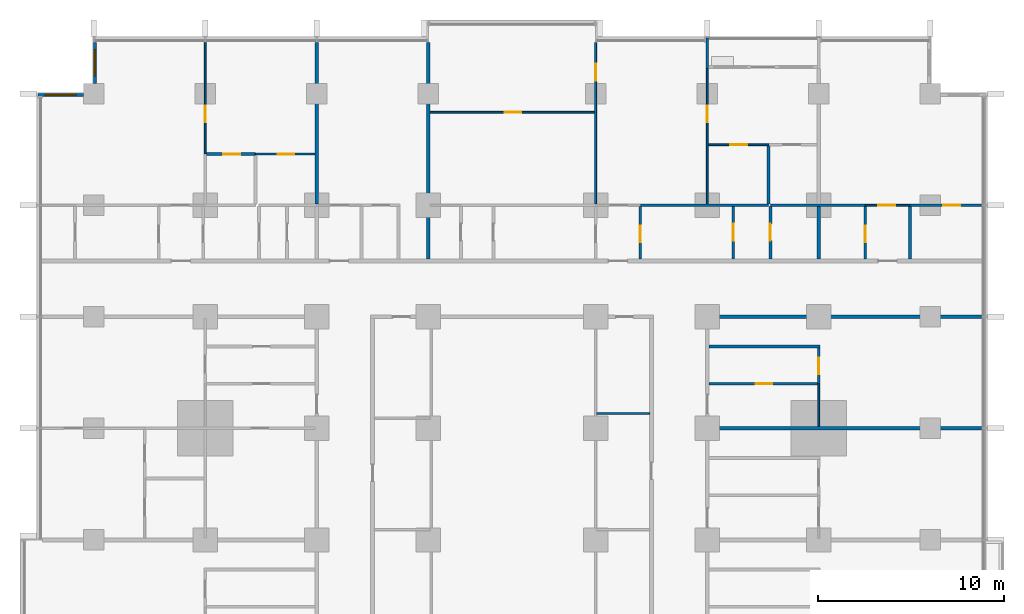
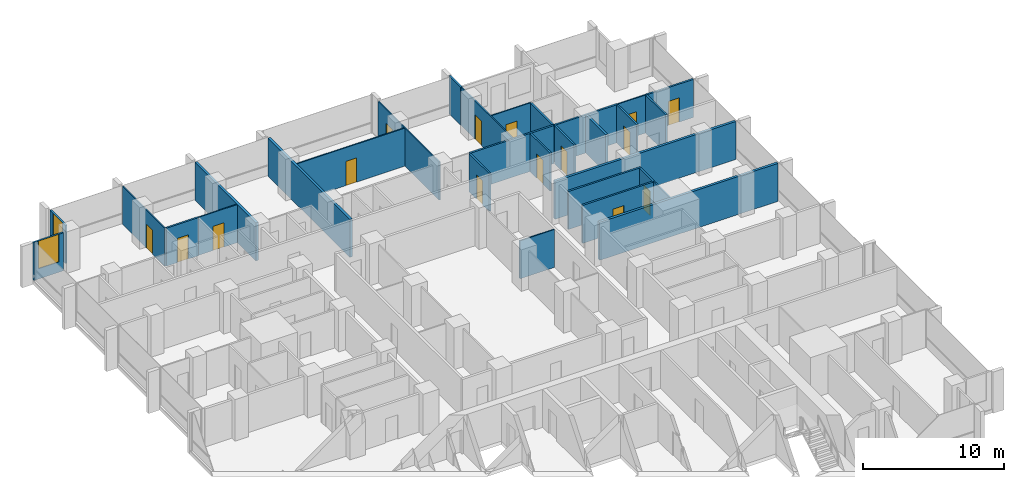
# One storey, part 12 of 18: 30 walls, 15 doors, 2 windows, 17 openings.
"""IFC4 building model written with IfcOpenShell, lengths in metres."""

from ifc_helpers import new_model, si_unit, direction, frame, frame_2d, origin, place, context, subcontext, project, spatial, rectangle, extrude, material, layer, layer_set, type_object, element, fill, save


model = new_model("IFC4")

# Units and contexts
model_context = context("Model", 3, precision=1e-05, world=origin(), true_north=direction((0.0, 1.0)))
body_context = subcontext(model_context, "Body", "Model", "MODEL_VIEW")
ifc_project = project(units=[si_unit("LENGTHUNIT", "METRE"), si_unit("AREAUNIT", "SQUARE_METRE"), si_unit("VOLUMEUNIT", "CUBIC_METRE"), si_unit("PLANEANGLEUNIT", "RADIAN"), si_unit("MASSUNIT", "GRAM", prefix="KILO")], contexts=[model_context])

# Site, building, storey
site_placement = place(None, origin())
site = spatial("IfcSite", under=ifc_project, at=site_placement, CompositionType="ELEMENT")
building_placement = place(site_placement, origin())
building = spatial("IfcBuilding", under=site, at=building_placement, Name="Finial Court Residences", CompositionType="ELEMENT")
storey_placement = place(building_placement, frame((0.0, 0.0, 46.89990234375)))
storey = spatial("IfcBuildingStorey", under=building, at=storey_placement, Name="L10", CompositionType="ELEMENT", Elevation=46.89990234375)

# Walls
ifc_material_1 = material(Name="Gypsum board")
ifc_layer_1 = layer(ifc_material_1, 0.02490234375)
ifc_material_2 = material(Name="Acoustic mineral wool in double frame")
ifc_layer_2 = layer(ifc_material_2, 0.14990234375)
ifc_layer_3 = layer(ifc_material_1, 0.02490234375)
ifc_layer_set_1 = layer_set([ifc_layer_1, ifc_layer_2, ifc_layer_3], Name="Acoustic party wall 200, 1 hour")
wall_type_1 = type_object("IfcWallType", Name="Acoustic party wall 200, 1 hour", PredefinedType="PARTITIONING", material=ifc_layer_set_1)
wall_1_placement = place(storey_placement, frame((10.60009765625, 7.5, 0.0), z_axis=(0.0, 0.0, 1.0), x_axis=(1.0, 0.0, 0.0)))
element("IfcWall", 1, at=wall_1_placement, inside=storey, type_object=wall_type_1, Name="Partition L10-024", PredefinedType="PARTITIONING", context=body_context, shape_type="SweptSolid", body=[
    extrude(rectangle(XDim=14.64990234375, YDim=0.199951171875, at=frame_2d((7.324951171875, 0.0))), origin(), (0.0, 0.0, 1.0), 3.300048828125),
])
wall_2_placement = place(storey_placement, frame((-10.5, 19.574951171875, 0.0), z_axis=(0.0, 0.0, 1.0), x_axis=(0.0, 1.0, 0.0)))
element("IfcWall", 2, at=wall_2_placement, inside=storey, type_object=wall_type_1, Name="Partition L10-078", PredefinedType="PARTITIONING", context=body_context, shape_type="SweptSolid", body=[
    extrude(rectangle(XDim=8.675048828125, YDim=0.199951171875, at=frame_2d((4.33740234375, 0.0))), origin(), (0.0, 0.0, 1.0), 3.300048828125),
])
wall_3_placement = place(storey_placement, frame((-4.5, 16.60009765625, 0.0), z_axis=(0.0, 0.0, 1.0), x_axis=(0.0, 1.0, 0.0)))
element("IfcWall", 3, at=wall_3_placement, inside=storey, type_object=wall_type_1, Name="Partition L10-082", PredefinedType="PARTITIONING", context=body_context, shape_type="SweptSolid", body=[
    extrude(rectangle(XDim=11.64990234375, YDim=0.199951171875, at=frame_2d((5.824951171875, 0.0))), origin(), (0.0, 0.0, 1.0), 3.300048828125),
])
wall_4_placement = place(storey_placement, frame((16.5, 16.60009765625, 0.0), z_axis=(0.0, 0.0, 1.0), x_axis=(0.0, 1.0, 0.0)))
element("IfcWall", 4, at=wall_4_placement, inside=storey, type_object=wall_type_1, Name="Partition L10-100", PredefinedType="PARTITIONING", context=body_context, shape_type="SweptSolid", body=[
    extrude(rectangle(XDim=2.824951171875, YDim=0.199951171875, at=frame_2d((1.41259765625, 0.0))), origin(), (0.0, 0.0, 1.0), 3.300048828125),
])
ifc_layer_4 = layer(ifc_material_1, 0.02490234375)
ifc_layer_5 = layer(ifc_material_2, 0.14990234375)
ifc_layer_6 = layer(ifc_material_1, 0.02490234375)
ifc_layer_set_2 = layer_set([ifc_layer_4, ifc_layer_5, ifc_layer_6], Name="Corridor wall 200, 1 hour")
wall_type_2 = type_object("IfcWallType", Name="Corridor wall 200, 1 hour", PredefinedType="PARTITIONING", material=ifc_layer_set_2)
wall_5_placement = place(storey_placement, frame((10.39990234375, 13.5, 0.0), z_axis=(0.0, 0.0, 1.0), x_axis=(1.0, 0.0, 0.0)))
element("IfcWall", 5, at=wall_5_placement, inside=storey, type_object=wall_type_2, Name="Partition L10-034", PredefinedType="PARTITIONING", context=body_context, shape_type="SweptSolid", body=[
    extrude(rectangle(XDim=14.85009765625, YDim=0.199951171875, at=frame_2d((7.425048828125, 0.0))), origin(), (0.0, 0.0, 1.0), 3.300048828125),
])
ifc_layer_7 = layer(ifc_material_1, 0.012451171875)
ifc_material_3 = material(Name="Mineral wool in light-gauge frame")
ifc_layer_8 = layer(ifc_material_3, 0.074951171875)
ifc_layer_9 = layer(ifc_material_1, 0.012451171875)
ifc_layer_set_3 = layer_set([ifc_layer_7, ifc_layer_8, ifc_layer_9], Name="Gypsum board partition 100")
wall_type_3 = type_object("IfcWallType", Name="Gypsum board partition 100", PredefinedType="PARTITIONING", material=ifc_layer_set_3)
wall_6_placement = place(storey_placement, frame((4.550048828125, 8.300048828125, 0.0), z_axis=(0.0, 0.0, 1.0), x_axis=(1.0, 0.0, 0.0)))
element("IfcWall", 6, at=wall_6_placement, inside=storey, type_object=wall_type_3, Name="Partition L10-027", PredefinedType="PARTITIONING", context=body_context, shape_type="SweptSolid", body=[
    extrude(rectangle(XDim=2.849853515625, YDim=0.10009765625, at=frame_2d((1.4248046875, 0.0))), origin(), (0.0, 0.0, 1.0), 3.300048828125),
])

# Wall, opening, door
wall_7_placement = place(storey_placement, frame((19.0, 19.5, 0.0), z_axis=(0.0, 0.0, 1.0), x_axis=(1.0, 0.0, 0.0)))
wall_7 = element("IfcWall", 7, at=wall_7_placement, inside=storey, type_object=wall_type_3, Name="Partition L10-041", PredefinedType="PARTITIONING", context=body_context, shape_type="SweptSolid", body=[
    extrude(rectangle(XDim=2.39990234375, YDim=0.10009765625, at=frame_2d((1.199951171875, 0.0))), origin(), (0.0, 0.0, 1.0), 3.300048828125),
])
opening_1_placement = place(wall_7_placement, frame((0.699951171875, 0.0, 0.0)))
opening_1 = element("IfcOpeningElement", 8, at=opening_1_placement, cuts=wall_7, Name="Opening L10-D026", PredefinedType="OPENING", context=body_context, shape_type="SweptSolid", body=[
    extrude(rectangle(XDim=0.89990234375, YDim=2.10009765625, at=frame_2d((0.449951171875, 1.050048828125))), frame((0.0, 0.06005859375, 0.0), z_axis=(0.0, -1.0, 0.0), x_axis=(1.0, 0.0, 0.0)), (0.0, 0.0, 1.0), 0.1201171875),
])
ifc_material_4 = material(Name="Timber door leaf in timber frame", Category="wood")
door_type = type_object("IfcDoorType", Name="Door set 900 x 2100", OperationType="SINGLE_SWING_LEFT", PredefinedType="DOOR", material=ifc_material_4)
door_1_placement = place(opening_1_placement, origin())
door_1 = element("IfcDoor", 9, at=door_1_placement, inside=storey, type_object=door_type, Name="Door L10-D026", OperationType="SINGLE_SWING_RIGHT", OverallHeight=2.10009765625, OverallWidth=0.89990234375, PredefinedType="DOOR", context=body_context, shape_type="SweptSolid", body=[
    extrude(rectangle(XDim=0.89990234375, YDim=2.10009765625, at=frame_2d((0.449951171875, 1.050048828125))), frame((0.0, 0.02490234375, 0.0), z_axis=(0.0, -1.0, 0.0), x_axis=(1.0, 0.0, 0.0)), (0.0, 0.0, 1.0), 0.050048828125),
])
fill(opening_1, door_1)

wall_8_placement = place(storey_placement, frame((-13.800048828125, 22.25, 0.0), z_axis=(0.0, 0.0, 1.0), x_axis=(1.0, 0.0, 0.0)))
wall_8 = element("IfcWall", 10, at=wall_8_placement, inside=storey, type_object=wall_type_3, Name="Partition L10-050", PredefinedType="PARTITIONING", context=body_context, shape_type="SweptSolid", body=[
    extrude(rectangle(XDim=3.199951171875, YDim=0.10009765625, at=frame_2d((1.60009765625, 0.0))), origin(), (0.0, 0.0, 1.0), 3.300048828125),
])
opening_2_placement = place(wall_8_placement, frame((1.199951171875, 0.0, 0.0)))
opening_2 = element("IfcOpeningElement", 11, at=opening_2_placement, cuts=wall_8, Name="Opening L10-D029", PredefinedType="OPENING", context=body_context, shape_type="SweptSolid", body=[
    extrude(rectangle(XDim=0.89990234375, YDim=2.10009765625, at=frame_2d((0.449951171875, 1.050048828125))), frame((0.0, 0.06005859375, 0.0), z_axis=(0.0, -1.0, 0.0), x_axis=(1.0, 0.0, 0.0)), (0.0, 0.0, 1.0), 0.1201171875),
])
door_2_placement = place(opening_2_placement, origin())
door_2 = element("IfcDoor", 12, at=door_2_placement, inside=storey, type_object=door_type, Name="Door L10-D029", OperationType="SINGLE_SWING_LEFT", OverallHeight=2.10009765625, OverallWidth=0.89990234375, PredefinedType="DOOR", context=body_context, shape_type="SweptSolid", body=[
    extrude(rectangle(XDim=0.89990234375, YDim=2.10009765625, at=frame_2d((0.449951171875, 1.050048828125))), frame((0.0, 0.02490234375, 0.0), z_axis=(0.0, -1.0, 0.0), x_axis=(1.0, 0.0, 0.0)), (0.0, 0.0, 1.0), 0.050048828125),
])
fill(opening_2, door_2)

wall_9_placement = place(storey_placement, frame((10.550048828125, 22.75, 0.0), z_axis=(0.0, 0.0, 1.0), x_axis=(1.0, 0.0, 0.0)))
wall_9 = element("IfcWall", 13, at=wall_9_placement, inside=storey, type_object=wall_type_3, Name="Partition L10-052", PredefinedType="PARTITIONING", context=body_context, shape_type="SweptSolid", body=[
    extrude(rectangle(XDim=3.25, YDim=0.10009765625, at=frame_2d((1.625, 0.0))), origin(), (0.0, 0.0, 1.0), 3.300048828125),
])
opening_3_placement = place(wall_9_placement, frame((1.199951171875, 0.0, 0.0)))
opening_3 = element("IfcOpeningElement", 14, at=opening_3_placement, cuts=wall_9, Name="Opening L10-D031", PredefinedType="OPENING", context=body_context, shape_type="SweptSolid", body=[
    extrude(rectangle(XDim=0.89990234375, YDim=2.10009765625, at=frame_2d((0.449951171875, 1.050048828125))), frame((0.0, 0.06005859375, 0.0), z_axis=(0.0, -1.0, 0.0), x_axis=(1.0, 0.0, 0.0)), (0.0, 0.0, 1.0), 0.1201171875),
])
door_3_placement = place(opening_3_placement, origin())
door_3 = element("IfcDoor", 15, at=door_3_placement, inside=storey, type_object=door_type, Name="Door L10-D031", OperationType="SINGLE_SWING_LEFT", OverallHeight=2.10009765625, OverallWidth=0.89990234375, PredefinedType="DOOR", context=body_context, shape_type="SweptSolid", body=[
    extrude(rectangle(XDim=0.89990234375, YDim=2.10009765625, at=frame_2d((0.449951171875, 1.050048828125))), frame((0.0, 0.02490234375, 0.0), z_axis=(0.0, -1.0, 0.0), x_axis=(1.0, 0.0, 0.0)), (0.0, 0.0, 1.0), 0.050048828125),
])
fill(opening_3, door_3)

wall_10_placement = place(storey_placement, frame((-4.39990234375, 24.5, 0.0), z_axis=(0.0, 0.0, 1.0), x_axis=(1.0, 0.0, 0.0)))
wall_10 = element("IfcWall", 16, at=wall_10_placement, inside=storey, type_object=wall_type_3, Name="Partition L10-054", PredefinedType="PARTITIONING", context=body_context, shape_type="SweptSolid", body=[
    extrude(rectangle(XDim=8.849853515625, YDim=0.10009765625, at=frame_2d((4.4248046875, 0.0))), origin(), (0.0, 0.0, 1.0), 3.300048828125),
])
opening_4_placement = place(wall_10_placement, frame((4.0, 0.0, 0.0)))
opening_4 = element("IfcOpeningElement", 17, at=opening_4_placement, cuts=wall_10, Name="Opening L10-D033", PredefinedType="OPENING", context=body_context, shape_type="SweptSolid", body=[
    extrude(rectangle(XDim=0.89990234375, YDim=2.10009765625, at=frame_2d((0.449951171875, 1.050048828125))), frame((0.0, 0.06005859375, 0.0), z_axis=(0.0, -1.0, 0.0), x_axis=(1.0, 0.0, 0.0)), (0.0, 0.0, 1.0), 0.1201171875),
])
door_4_placement = place(opening_4_placement, origin())
door_4 = element("IfcDoor", 18, at=door_4_placement, inside=storey, type_object=door_type, Name="Door L10-D033", OperationType="SINGLE_SWING_LEFT", OverallHeight=2.10009765625, OverallWidth=0.89990234375, PredefinedType="DOOR", context=body_context, shape_type="SweptSolid", body=[
    extrude(rectangle(XDim=0.89990234375, YDim=2.10009765625, at=frame_2d((0.449951171875, 1.050048828125))), frame((0.0, 0.02490234375, 0.0), z_axis=(0.0, -1.0, 0.0), x_axis=(1.0, 0.0, 0.0)), (0.0, 0.0, 1.0), 0.050048828125),
])
fill(opening_4, door_4)

wall_11_placement = place(storey_placement, frame((-16.5, 22.25, 0.0), z_axis=(0.0, 0.0, 1.0), x_axis=(0.0, 1.0, 0.0)))
wall_11 = element("IfcWall", 19, at=wall_11_placement, inside=storey, type_object=wall_type_3, Name="Partition L10-066", PredefinedType="PARTITIONING", context=body_context, shape_type="SweptSolid", body=[
    extrude(rectangle(XDim=6.0, YDim=0.10009765625, at=frame_2d((3.0, 0.0))), origin(), (0.0, 0.0, 1.0), 3.300048828125),
])
opening_5_placement = place(wall_11_placement, frame((1.699951171875, 0.0, 0.0)))
opening_5 = element("IfcOpeningElement", 20, at=opening_5_placement, cuts=wall_11, Name="Opening L10-D043", PredefinedType="OPENING", context=body_context, shape_type="SweptSolid", body=[
    extrude(rectangle(XDim=0.89990234375, YDim=2.10009765625, at=frame_2d((0.449951171875, 1.050048828125))), frame((0.0, 0.06005859375, 0.0), z_axis=(0.0, -1.0, 0.0), x_axis=(1.0, 0.0, 0.0)), (0.0, 0.0, 1.0), 0.1201171875),
])
door_5_placement = place(opening_5_placement, origin())
door_5 = element("IfcDoor", 21, at=door_5_placement, inside=storey, type_object=door_type, Name="Door L10-D043", OperationType="SINGLE_SWING_LEFT", OverallHeight=2.10009765625, OverallWidth=0.89990234375, PredefinedType="DOOR", context=body_context, shape_type="SweptSolid", body=[
    extrude(rectangle(XDim=0.89990234375, YDim=2.10009765625, at=frame_2d((0.449951171875, 1.050048828125))), frame((0.0, 0.02490234375, 0.0), z_axis=(0.0, -1.0, 0.0), x_axis=(1.0, 0.0, 0.0)), (0.0, 0.0, 1.0), 0.050048828125),
])
fill(opening_5, door_5)

wall_12_placement = place(storey_placement, frame((4.5, 19.574951171875, 0.0), z_axis=(0.0, 0.0, 1.0), x_axis=(0.0, 1.0, 0.0)))
wall_12 = element("IfcWall", 22, at=wall_12_placement, inside=storey, type_object=wall_type_3, Name="Partition L10-087", PredefinedType="PARTITIONING", context=body_context, shape_type="SweptSolid", body=[
    extrude(rectangle(XDim=8.675048828125, YDim=0.10009765625, at=frame_2d((4.33740234375, 0.0))), origin(), (0.0, 0.0, 1.0), 3.300048828125),
])
opening_6_placement = place(wall_12_placement, frame((6.625, 0.0, 0.0)))
opening_6 = element("IfcOpeningElement", 23, at=opening_6_placement, cuts=wall_12, Name="Opening L10-D053", PredefinedType="OPENING", context=body_context, shape_type="SweptSolid", body=[
    extrude(rectangle(XDim=0.89990234375, YDim=2.10009765625, at=frame_2d((0.449951171875, 1.050048828125))), frame((0.0, 0.06005859375, 0.0), z_axis=(0.0, -1.0, 0.0), x_axis=(1.0, 0.0, 0.0)), (0.0, 0.0, 1.0), 0.1201171875),
])
door_6_placement = place(opening_6_placement, origin())
door_6 = element("IfcDoor", 24, at=door_6_placement, inside=storey, type_object=door_type, Name="Door L10-D053", OperationType="SINGLE_SWING_LEFT", OverallHeight=2.10009765625, OverallWidth=0.89990234375, PredefinedType="DOOR", context=body_context, shape_type="SweptSolid", body=[
    extrude(rectangle(XDim=0.89990234375, YDim=2.10009765625, at=frame_2d((0.449951171875, 1.050048828125))), frame((0.0, 0.02490234375, 0.0), z_axis=(0.0, -1.0, 0.0), x_axis=(1.0, 0.0, 0.0)), (0.0, 0.0, 1.0), 0.050048828125),
])
fill(opening_6, door_6)

wall_13_placement = place(storey_placement, frame((10.5, 19.574951171875, 0.0), z_axis=(0.0, 0.0, 1.0), x_axis=(0.0, 1.0, 0.0)))
wall_13 = element("IfcWall", 25, at=wall_13_placement, inside=storey, type_object=wall_type_3, Name="Partition L10-092", PredefinedType="PARTITIONING", context=body_context, shape_type="SweptSolid", body=[
    extrude(rectangle(XDim=7.275146484375, YDim=0.10009765625, at=frame_2d((3.6376953125, 0.0))), origin(), (0.0, 0.0, 1.0), 3.300048828125),
])
opening_7_placement = place(wall_13_placement, frame((4.375, 0.0, 0.0)))
opening_7 = element("IfcOpeningElement", 26, at=opening_7_placement, cuts=wall_13, Name="Opening L10-D059", PredefinedType="OPENING", context=body_context, shape_type="SweptSolid", body=[
    extrude(rectangle(XDim=0.89990234375, YDim=2.10009765625, at=frame_2d((0.449951171875, 1.050048828125))), frame((0.0, 0.06005859375, 0.0), z_axis=(0.0, -1.0, 0.0), x_axis=(1.0, 0.0, 0.0)), (0.0, 0.0, 1.0), 0.1201171875),
])
door_7_placement = place(opening_7_placement, origin())
door_7 = element("IfcDoor", 27, at=door_7_placement, inside=storey, type_object=door_type, Name="Door L10-D059", OperationType="SINGLE_SWING_RIGHT", OverallHeight=2.10009765625, OverallWidth=0.89990234375, PredefinedType="DOOR", context=body_context, shape_type="SweptSolid", body=[
    extrude(rectangle(XDim=0.89990234375, YDim=2.10009765625, at=frame_2d((0.449951171875, 1.050048828125))), frame((0.0, 0.02490234375, 0.0), z_axis=(0.0, -1.0, 0.0), x_axis=(1.0, 0.0, 0.0)), (0.0, 0.0, 1.0), 0.050048828125),
])
fill(opening_7, door_7)

# Wall
wall_14_placement = place(storey_placement, frame((16.5, 7.60009765625, 0.0), z_axis=(0.0, 0.0, 1.0), x_axis=(0.0, 1.0, 0.0)))
element("IfcWall", 28, at=wall_14_placement, inside=storey, type_object=wall_type_3, Name="Partition L10-099", PredefinedType="PARTITIONING", context=body_context, shape_type="SweptSolid", body=[
    extrude(rectangle(XDim=2.2998046875, YDim=0.10009765625, at=frame_2d((1.14990234375, 0.0))), origin(), (0.0, 0.0, 1.0), 3.300048828125),
])

# Wall, opening, door
ifc_material_5 = material(Name="Moisture-resistant gypsum board")
ifc_layer_10 = layer(ifc_material_5, 0.012451171875)
ifc_layer_11 = layer(ifc_material_3, 0.125)
ifc_layer_12 = layer(ifc_material_5, 0.012451171875)
ifc_layer_set_4 = layer_set([ifc_layer_10, ifc_layer_11, ifc_layer_12], Name="Gypsum board wet-area partition 150")
wall_type_4 = type_object("IfcWallType", Name="Gypsum board wet-area partition 150", PredefinedType="PARTITIONING", material=ifc_layer_set_4)
wall_15_placement = place(storey_placement, frame((10.60009765625, 9.89990234375, 0.0), z_axis=(0.0, 0.0, 1.0), x_axis=(1.0, 0.0, 0.0)))
wall_15 = element("IfcWall", 29, at=wall_15_placement, inside=storey, type_object=wall_type_4, Name="Partition L10-029", PredefinedType="PARTITIONING", context=body_context, shape_type="SweptSolid", body=[
    extrude(rectangle(XDim=5.824951171875, YDim=0.14990234375, at=frame_2d((2.91259765625, 0.0))), origin(), (0.0, 0.0, 1.0), 3.300048828125),
])
opening_8_placement = place(wall_15_placement, frame((2.5, 0.0, 0.0)))
opening_8 = element("IfcOpeningElement", 30, at=opening_8_placement, cuts=wall_15, Name="Opening L10-D015", PredefinedType="OPENING", context=body_context, shape_type="SweptSolid", body=[
    extrude(rectangle(XDim=0.89990234375, YDim=2.10009765625, at=frame_2d((0.449951171875, 1.050048828125))), frame((0.0, 0.0849609375, 0.0), z_axis=(0.0, -1.0, 0.0), x_axis=(1.0, 0.0, 0.0)), (0.0, 0.0, 1.0), 0.169921875),
])
door_8_placement = place(opening_8_placement, origin())
door_8 = element("IfcDoor", 31, at=door_8_placement, inside=storey, type_object=door_type, Name="Door L10-D015", OperationType="SINGLE_SWING_RIGHT", OverallHeight=2.10009765625, OverallWidth=0.89990234375, PredefinedType="DOOR", context=body_context, shape_type="SweptSolid", body=[
    extrude(rectangle(XDim=0.89990234375, YDim=2.10009765625, at=frame_2d((0.449951171875, 1.050048828125))), frame((0.0, 0.02490234375, 0.0), z_axis=(0.0, -1.0, 0.0), x_axis=(1.0, 0.0, 0.0)), (0.0, 0.0, 1.0), 0.050048828125),
])
fill(opening_8, door_8)

# Walls
wall_16_placement = place(storey_placement, frame((10.60009765625, 11.89990234375, 0.0), z_axis=(0.0, 0.0, 1.0), x_axis=(1.0, 0.0, 0.0)))
element("IfcWall", 32, at=wall_16_placement, inside=storey, type_object=wall_type_4, Name="Partition L10-031", PredefinedType="PARTITIONING", context=body_context, shape_type="SweptSolid", body=[
    extrude(rectangle(XDim=5.974853515625, YDim=0.14990234375, at=frame_2d((2.9873046875, 0.0))), origin(), (0.0, 0.0, 1.0), 3.300048828125),
])
wall_17_placement = place(storey_placement, frame((6.89990234375, 19.5, 0.0), z_axis=(0.0, 0.0, 1.0), x_axis=(1.0, 0.0, 0.0)))
element("IfcWall", 33, at=wall_17_placement, inside=storey, type_object=wall_type_4, Name="Partition L10-047", PredefinedType="PARTITIONING", context=body_context, shape_type="SweptSolid", body=[
    extrude(rectangle(XDim=6.900146484375, YDim=0.14990234375, at=frame_2d((3.4501953125, 0.0))), origin(), (0.0, 0.0, 1.0), 3.300048828125),
])
wall_18_placement = place(storey_placement, frame((13.89990234375, 19.5, 0.0), z_axis=(0.0, 0.0, 1.0), x_axis=(1.0, 0.0, 0.0)))
element("IfcWall", 34, at=wall_18_placement, inside=storey, type_object=wall_type_4, Name="Partition L10-048", PredefinedType="PARTITIONING", context=body_context, shape_type="SweptSolid", body=[
    extrude(rectangle(XDim=5.10009765625, YDim=0.14990234375, at=frame_2d((2.550048828125, 0.0))), origin(), (0.0, 0.0, 1.0), 3.300048828125),
])

# Wall, opening, door
wall_19_placement = place(storey_placement, frame((21.39990234375, 19.5, 0.0), z_axis=(0.0, 0.0, 1.0), x_axis=(1.0, 0.0, 0.0)))
wall_19 = element("IfcWall", 35, at=wall_19_placement, inside=storey, type_object=wall_type_4, Name="Partition L10-049", PredefinedType="PARTITIONING", context=body_context, shape_type="SweptSolid", body=[
    extrude(rectangle(XDim=3.85009765625, YDim=0.14990234375, at=frame_2d((1.925048828125, 0.0))), origin(), (0.0, 0.0, 1.0), 3.300048828125),
])
opening_9_placement = place(wall_19_placement, frame((1.800048828125, 0.0, 0.0)))
opening_9 = element("IfcOpeningElement", 36, at=opening_9_placement, cuts=wall_19, Name="Opening L10-D028", PredefinedType="OPENING", context=body_context, shape_type="SweptSolid", body=[
    extrude(rectangle(XDim=0.89990234375, YDim=2.10009765625, at=frame_2d((0.449951171875, 1.050048828125))), frame((0.0, 0.0849609375, 0.0), z_axis=(0.0, -1.0, 0.0), x_axis=(1.0, 0.0, 0.0)), (0.0, 0.0, 1.0), 0.169921875),
])
door_9_placement = place(opening_9_placement, origin())
door_9 = element("IfcDoor", 37, at=door_9_placement, inside=storey, type_object=door_type, Name="Door L10-D028", OperationType="SINGLE_SWING_RIGHT", OverallHeight=2.10009765625, OverallWidth=0.89990234375, PredefinedType="DOOR", context=body_context, shape_type="SweptSolid", body=[
    extrude(rectangle(XDim=0.89990234375, YDim=2.10009765625, at=frame_2d((0.449951171875, 1.050048828125))), frame((0.0, 0.02490234375, 0.0), z_axis=(0.0, -1.0, 0.0), x_axis=(1.0, 0.0, 0.0)), (0.0, 0.0, 1.0), 0.050048828125),
])
fill(opening_9, door_9)

wall_20_placement = place(storey_placement, frame((-16.425048828125, 22.25, 0.0), z_axis=(0.0, 0.0, 1.0), x_axis=(1.0, 0.0, 0.0)))
wall_20 = element("IfcWall", 38, at=wall_20_placement, inside=storey, type_object=wall_type_4, Name="Partition L10-051", PredefinedType="PARTITIONING", context=body_context, shape_type="SweptSolid", body=[
    extrude(rectangle(XDim=2.625, YDim=0.14990234375, at=frame_2d((1.3125, 0.0))), origin(), (0.0, 0.0, 1.0), 3.300048828125),
])
opening_10_placement = place(wall_20_placement, frame((0.89990234375, 0.0, 0.0)))
opening_10 = element("IfcOpeningElement", 39, at=opening_10_placement, cuts=wall_20, Name="Opening L10-D030", PredefinedType="OPENING", context=body_context, shape_type="SweptSolid", body=[
    extrude(rectangle(XDim=0.89990234375, YDim=2.10009765625, at=frame_2d((0.449951171875, 1.050048828125))), frame((0.0, 0.0849609375, 0.0), z_axis=(0.0, -1.0, 0.0), x_axis=(1.0, 0.0, 0.0)), (0.0, 0.0, 1.0), 0.169921875),
])
door_10_placement = place(opening_10_placement, origin())
door_10 = element("IfcDoor", 40, at=door_10_placement, inside=storey, type_object=door_type, Name="Door L10-D030", OperationType="SINGLE_SWING_RIGHT", OverallHeight=2.10009765625, OverallWidth=0.89990234375, PredefinedType="DOOR", context=body_context, shape_type="SweptSolid", body=[
    extrude(rectangle(XDim=0.89990234375, YDim=2.10009765625, at=frame_2d((0.449951171875, 1.050048828125))), frame((0.0, 0.02490234375, 0.0), z_axis=(0.0, -1.0, 0.0), x_axis=(1.0, 0.0, 0.0)), (0.0, 0.0, 1.0), 0.050048828125),
])
fill(opening_10, door_10)

wall_21_placement = place(storey_placement, frame((6.89990234375, 16.60009765625, 0.0), z_axis=(0.0, 0.0, 1.0), x_axis=(0.0, 1.0, 0.0)))
wall_21 = element("IfcWall", 41, at=wall_21_placement, inside=storey, type_object=wall_type_4, Name="Partition L10-089", PredefinedType="PARTITIONING", context=body_context, shape_type="SweptSolid", body=[
    extrude(rectangle(XDim=2.824951171875, YDim=0.14990234375, at=frame_2d((1.41259765625, 0.0))), origin(), (0.0, 0.0, 1.0), 3.300048828125),
])
opening_11_placement = place(wall_21_placement, frame((0.89990234375, 0.0, 0.0)))
opening_11 = element("IfcOpeningElement", 42, at=opening_11_placement, cuts=wall_21, Name="Opening L10-D055", PredefinedType="OPENING", context=body_context, shape_type="SweptSolid", body=[
    extrude(rectangle(XDim=0.89990234375, YDim=2.10009765625, at=frame_2d((0.449951171875, 1.050048828125))), frame((0.0, 0.0849609375, 0.0), z_axis=(0.0, -1.0, 0.0), x_axis=(1.0, 0.0, 0.0)), (0.0, 0.0, 1.0), 0.169921875),
])
door_11_placement = place(opening_11_placement, origin())
door_11 = element("IfcDoor", 43, at=door_11_placement, inside=storey, type_object=door_type, Name="Door L10-D055", OperationType="SINGLE_SWING_RIGHT", OverallHeight=2.10009765625, OverallWidth=0.89990234375, PredefinedType="DOOR", context=body_context, shape_type="SweptSolid", body=[
    extrude(rectangle(XDim=0.89990234375, YDim=2.10009765625, at=frame_2d((0.449951171875, 1.050048828125))), frame((0.0, 0.02490234375, 0.0), z_axis=(0.0, -1.0, 0.0), x_axis=(1.0, 0.0, 0.0)), (0.0, 0.0, 1.0), 0.050048828125),
])
fill(opening_11, door_11)

wall_22_placement = place(storey_placement, frame((11.89990234375, 16.60009765625, 0.0), z_axis=(0.0, 0.0, 1.0), x_axis=(0.0, 1.0, 0.0)))
wall_22 = element("IfcWall", 44, at=wall_22_placement, inside=storey, type_object=wall_type_4, Name="Partition L10-093", PredefinedType="PARTITIONING", context=body_context, shape_type="SweptSolid", body=[
    extrude(rectangle(XDim=2.824951171875, YDim=0.14990234375, at=frame_2d((1.41259765625, 0.0))), origin(), (0.0, 0.0, 1.0), 3.300048828125),
])
opening_12_placement = place(wall_22_placement, frame((1.0, 0.0, 0.0)))
opening_12 = element("IfcOpeningElement", 45, at=opening_12_placement, cuts=wall_22, Name="Opening L10-D060", PredefinedType="OPENING", context=body_context, shape_type="SweptSolid", body=[
    extrude(rectangle(XDim=0.89990234375, YDim=2.10009765625, at=frame_2d((0.449951171875, 1.050048828125))), frame((0.0, 0.0849609375, 0.0), z_axis=(0.0, -1.0, 0.0), x_axis=(1.0, 0.0, 0.0)), (0.0, 0.0, 1.0), 0.169921875),
])
door_12_placement = place(opening_12_placement, origin())
door_12 = element("IfcDoor", 46, at=door_12_placement, inside=storey, type_object=door_type, Name="Door L10-D060", OperationType="SINGLE_SWING_LEFT", OverallHeight=2.10009765625, OverallWidth=0.89990234375, PredefinedType="DOOR", context=body_context, shape_type="SweptSolid", body=[
    extrude(rectangle(XDim=0.89990234375, YDim=2.10009765625, at=frame_2d((0.449951171875, 1.050048828125))), frame((0.0, 0.02490234375, 0.0), z_axis=(0.0, -1.0, 0.0), x_axis=(1.0, 0.0, 0.0)), (0.0, 0.0, 1.0), 0.050048828125),
])
fill(opening_12, door_12)

# Wall
wall_23_placement = place(storey_placement, frame((13.800048828125, 19.574951171875, 0.0), z_axis=(0.0, 0.0, 1.0), x_axis=(0.0, 1.0, 0.0)))
element("IfcWall", 47, at=wall_23_placement, inside=storey, type_object=wall_type_4, Name="Partition L10-094", PredefinedType="PARTITIONING", context=body_context, shape_type="SweptSolid", body=[
    extrude(rectangle(XDim=3.10009765625, YDim=0.14990234375, at=frame_2d((1.550048828125, 0.0))), origin(), (0.0, 0.0, 1.0), 3.300048828125),
])

# Wall, opening, door
wall_24_placement = place(storey_placement, frame((13.89990234375, 16.60009765625, 0.0), z_axis=(0.0, 0.0, 1.0), x_axis=(0.0, 1.0, 0.0)))
wall_24 = element("IfcWall", 48, at=wall_24_placement, inside=storey, type_object=wall_type_4, Name="Partition L10-095", PredefinedType="PARTITIONING", context=body_context, shape_type="SweptSolid", body=[
    extrude(rectangle(XDim=2.824951171875, YDim=0.14990234375, at=frame_2d((1.41259765625, 0.0))), origin(), (0.0, 0.0, 1.0), 3.300048828125),
])
opening_13_placement = place(wall_24_placement, frame((1.0, 0.0, 0.0)))
opening_13 = element("IfcOpeningElement", 49, at=opening_13_placement, cuts=wall_24, Name="Opening L10-D061", PredefinedType="OPENING", context=body_context, shape_type="SweptSolid", body=[
    extrude(rectangle(XDim=0.89990234375, YDim=2.10009765625, at=frame_2d((0.449951171875, 1.050048828125))), frame((0.0, 0.0849609375, 0.0), z_axis=(0.0, -1.0, 0.0), x_axis=(1.0, 0.0, 0.0)), (0.0, 0.0, 1.0), 0.169921875),
])
door_13_placement = place(opening_13_placement, origin())
door_13 = element("IfcDoor", 50, at=door_13_placement, inside=storey, type_object=door_type, Name="Door L10-D061", OperationType="SINGLE_SWING_LEFT", OverallHeight=2.10009765625, OverallWidth=0.89990234375, PredefinedType="DOOR", context=body_context, shape_type="SweptSolid", body=[
    extrude(rectangle(XDim=0.89990234375, YDim=2.10009765625, at=frame_2d((0.449951171875, 1.050048828125))), frame((0.0, 0.02490234375, 0.0), z_axis=(0.0, -1.0, 0.0), x_axis=(1.0, 0.0, 0.0)), (0.0, 0.0, 1.0), 0.050048828125),
])
fill(opening_13, door_13)

wall_25_placement = place(storey_placement, frame((16.5, 9.89990234375, 0.0), z_axis=(0.0, 0.0, 1.0), x_axis=(0.0, 1.0, 0.0)))
wall_25 = element("IfcWall", 51, at=wall_25_placement, inside=storey, type_object=wall_type_4, Name="Partition L10-105", PredefinedType="PARTITIONING", context=body_context, shape_type="SweptSolid", body=[
    extrude(rectangle(XDim=1.925048828125, YDim=0.14990234375, at=frame_2d((0.96240234375, 0.0))), origin(), (0.0, 0.0, 1.0), 3.300048828125),
])
opening_14_placement = place(wall_25_placement, frame((0.5, 0.0, 0.0)))
opening_14 = element("IfcOpeningElement", 52, at=opening_14_placement, cuts=wall_25, Name="Opening L10-D067", PredefinedType="OPENING", context=body_context, shape_type="SweptSolid", body=[
    extrude(rectangle(XDim=0.89990234375, YDim=2.10009765625, at=frame_2d((0.449951171875, 1.050048828125))), frame((0.0, 0.0849609375, 0.0), z_axis=(0.0, -1.0, 0.0), x_axis=(1.0, 0.0, 0.0)), (0.0, 0.0, 1.0), 0.169921875),
])
door_14_placement = place(opening_14_placement, origin())
door_14 = element("IfcDoor", 53, at=door_14_placement, inside=storey, type_object=door_type, Name="Door L10-D067", OperationType="SINGLE_SWING_RIGHT", OverallHeight=2.10009765625, OverallWidth=0.89990234375, PredefinedType="DOOR", context=body_context, shape_type="SweptSolid", body=[
    extrude(rectangle(XDim=0.89990234375, YDim=2.10009765625, at=frame_2d((0.449951171875, 1.050048828125))), frame((0.0, 0.02490234375, 0.0), z_axis=(0.0, -1.0, 0.0), x_axis=(1.0, 0.0, 0.0)), (0.0, 0.0, 1.0), 0.050048828125),
])
fill(opening_14, door_14)

wall_26_placement = place(storey_placement, frame((19.0, 16.60009765625, 0.0), z_axis=(0.0, 0.0, 1.0), x_axis=(0.0, 1.0, 0.0)))
wall_26 = element("IfcWall", 54, at=wall_26_placement, inside=storey, type_object=wall_type_4, Name="Partition L10-106", PredefinedType="PARTITIONING", context=body_context, shape_type="SweptSolid", body=[
    extrude(rectangle(XDim=2.824951171875, YDim=0.14990234375, at=frame_2d((1.41259765625, 0.0))), origin(), (0.0, 0.0, 1.0), 3.300048828125),
])
opening_15_placement = place(wall_26_placement, frame((0.89990234375, 0.0, 0.0)))
opening_15 = element("IfcOpeningElement", 55, at=opening_15_placement, cuts=wall_26, Name="Opening L10-D068", PredefinedType="OPENING", context=body_context, shape_type="SweptSolid", body=[
    extrude(rectangle(XDim=0.89990234375, YDim=2.10009765625, at=frame_2d((0.449951171875, 1.050048828125))), frame((0.0, 0.0849609375, 0.0), z_axis=(0.0, -1.0, 0.0), x_axis=(1.0, 0.0, 0.0)), (0.0, 0.0, 1.0), 0.169921875),
])
door_15_placement = place(opening_15_placement, origin())
door_15 = element("IfcDoor", 56, at=door_15_placement, inside=storey, type_object=door_type, Name="Door L10-D068", OperationType="SINGLE_SWING_LEFT", OverallHeight=2.10009765625, OverallWidth=0.89990234375, PredefinedType="DOOR", context=body_context, shape_type="SweptSolid", body=[
    extrude(rectangle(XDim=0.89990234375, YDim=2.10009765625, at=frame_2d((0.449951171875, 1.050048828125))), frame((0.0, 0.02490234375, 0.0), z_axis=(0.0, -1.0, 0.0), x_axis=(1.0, 0.0, 0.0)), (0.0, 0.0, 1.0), 0.050048828125),
])
fill(opening_15, door_15)

# Wall
wall_27_placement = place(storey_placement, frame((21.39990234375, 16.60009765625, 0.0), z_axis=(0.0, 0.0, 1.0), x_axis=(0.0, 1.0, 0.0)))
element("IfcWall", 57, at=wall_27_placement, inside=storey, type_object=wall_type_4, Name="Partition L10-108", PredefinedType="PARTITIONING", context=body_context, shape_type="SweptSolid", body=[
    extrude(rectangle(XDim=2.824951171875, YDim=0.14990234375, at=frame_2d((1.41259765625, 0.0))), origin(), (0.0, 0.0, 1.0), 3.300048828125),
])

# Wall, opening, window
ifc_material_6 = material(Name="Natural limestone", Category="masonry")
ifc_layer_13 = layer(ifc_material_6, 0.14990234375)
ifc_layer_set_5 = layer_set([ifc_layer_13], Name="Limestone clad wall 150")
wall_type_5 = type_object("IfcWallType", Name="Limestone clad wall 150", PredefinedType="SOLIDWALL", material=ifc_layer_set_5)
wall_28_placement = place(storey_placement, frame((-22.425048828125, 26.050048828125, 0.0), z_axis=(0.0, 0.0, 1.0), x_axis=(0.0, 1.0, 0.0)))
wall_28 = element("IfcWall", 58, at=wall_28_placement, inside=storey, type_object=wall_type_5, Name="E-L10-NWW17", PredefinedType="SOLIDWALL", context=body_context, shape_type="SweptSolid", body=[
    extrude(rectangle(XDim=2.199951171875, YDim=0.14990234375, at=frame_2d((1.10009765625, 0.0))), origin(), (0.0, 0.0, 1.0), 3.300048828125),
])
opening_16_placement = place(wall_28_placement, frame((0.39990234375, 0.0, 0.89990234375)))
opening_16 = element("IfcOpeningElement", 59, at=opening_16_placement, cuts=wall_28, Name="Opening WE10-05", PredefinedType="OPENING", context=body_context, shape_type="SweptSolid", body=[
    extrude(rectangle(XDim=1.39990234375, YDim=2.39990234375, at=frame_2d((0.699951171875, 1.199951171875))), frame((0.0, 0.0849609375, 0.0), z_axis=(0.0, -1.0, 0.0), x_axis=(1.0, 0.0, 0.0)), (0.0, 0.0, 1.0), 0.169921875),
])
ifc_material_7 = material(Name="Clear low-e glass", Category="glass")
window_type_1 = type_object("IfcWindowType", Name="Corner window 1400 x 2400", PartitioningType="SINGLE_PANEL", PredefinedType="WINDOW", material=ifc_material_7)
window_1_placement = place(opening_16_placement, origin())
window_1 = element("IfcWindow", 60, at=window_1_placement, inside=storey, type_object=window_type_1, Name="E-L10-NWW17-W1", OverallHeight=2.39990234375, OverallWidth=1.39990234375, PartitioningType="SINGLE_PANEL", PredefinedType="WINDOW", context=body_context, shape_type="SweptSolid", body=[
    extrude(rectangle(XDim=1.39990234375, YDim=2.39990234375, at=frame_2d((0.699951171875, 1.199951171875))), frame((0.0, 0.030029296875, 0.0), z_axis=(0.0, -1.0, 0.0), x_axis=(1.0, 0.0, 0.0)), (0.0, 0.0, 1.0), 0.06005859375),
])
fill(opening_16, window_1)

wall_29_placement = place(storey_placement, frame((-25.5, 25.425048828125, 0.0), z_axis=(0.0, 0.0, 1.0), x_axis=(1.0, 0.0, 0.0)))
wall_29 = element("IfcWall", 61, at=wall_29_placement, inside=storey, type_object=wall_type_5, Name="E-L10-NWN18", PredefinedType="SOLIDWALL", context=body_context, shape_type="SweptSolid", body=[
    extrude(rectangle(XDim=2.449951171875, YDim=0.14990234375, at=frame_2d((1.22509765625, 0.0))), origin(), (0.0, 0.0, 1.0), 3.300048828125),
])
opening_17_placement = place(wall_29_placement, frame((0.39990234375, 0.0, 0.89990234375)))
opening_17 = element("IfcOpeningElement", 62, at=opening_17_placement, cuts=wall_29, Name="Opening WE10-06", PredefinedType="OPENING", context=body_context, shape_type="SweptSolid", body=[
    extrude(rectangle(XDim=1.64990234375, YDim=2.39990234375, at=frame_2d((0.824951171875, 1.199951171875))), frame((0.0, 0.0849609375, 0.0), z_axis=(0.0, -1.0, 0.0), x_axis=(1.0, 0.0, 0.0)), (0.0, 0.0, 1.0), 0.169921875),
])
window_type_2 = type_object("IfcWindowType", Name="Corner window 1650 x 2400", PartitioningType="SINGLE_PANEL", PredefinedType="WINDOW", material=ifc_material_7)
window_2_placement = place(opening_17_placement, origin())
window_2 = element("IfcWindow", 63, at=window_2_placement, inside=storey, type_object=window_type_2, Name="E-L10-NWN18-W1", OverallHeight=2.39990234375, OverallWidth=1.64990234375, PartitioningType="SINGLE_PANEL", PredefinedType="WINDOW", context=body_context, shape_type="SweptSolid", body=[
    extrude(rectangle(XDim=1.64990234375, YDim=2.39990234375, at=frame_2d((0.824951171875, 1.199951171875))), frame((0.0, 0.030029296875, 0.0), z_axis=(0.0, -1.0, 0.0), x_axis=(1.0, 0.0, 0.0)), (0.0, 0.0, 1.0), 0.06005859375),
])
fill(opening_17, window_2)

# Wall
wall_30_placement = place(storey_placement, frame((10.5, 26.85009765625, 0.0), z_axis=(0.0, 0.0, 1.0), x_axis=(0.0, 1.0, 0.0)))
element("IfcWall", 64, at=wall_30_placement, inside=storey, type_object=wall_type_5, Name="E-L10-BALN6-P1", PredefinedType="SOLIDWALL", context=body_context, shape_type="SweptSolid", body=[
    extrude(rectangle(XDim=1.64990234375, YDim=0.14990234375, at=frame_2d((0.824951171875, 0.0))), origin(), (0.0, 0.0, 1.0), 3.300048828125),
])

save(model, "model.ifc")
